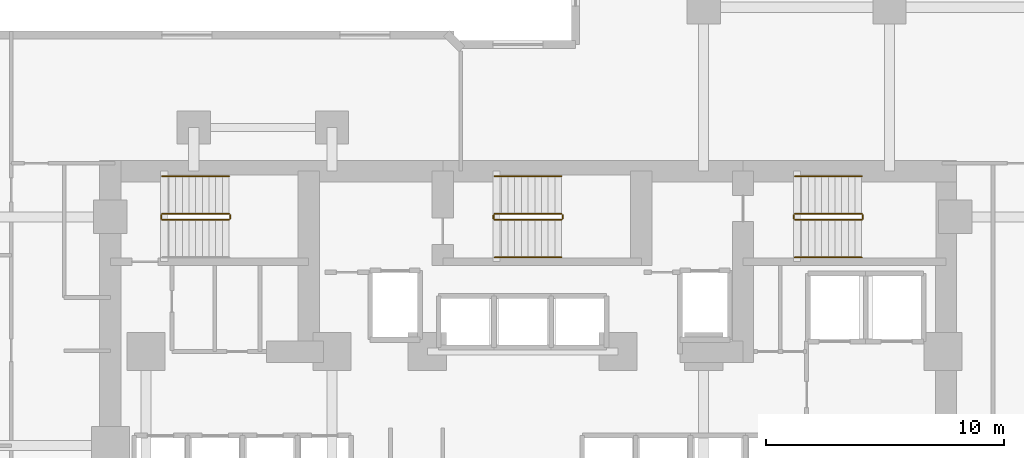
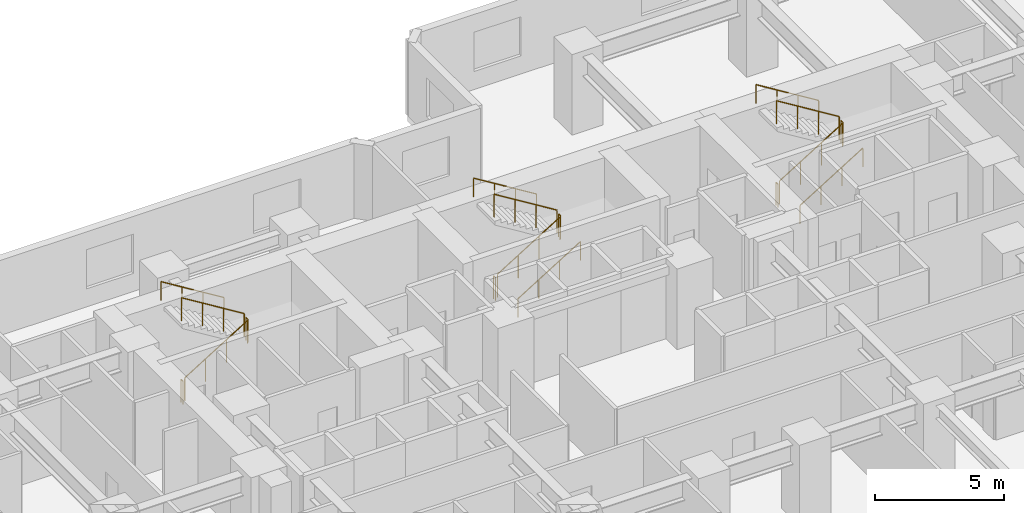
# One storey, part 12 of 12: 17 railings.
"""IFC4 building model written with IfcOpenShell, lengths in metres."""

from ifc_helpers import new_model, si_unit, direction, frame, origin, origin_2d, place, context, subcontext, project, spatial, circle, extrude, material, type_object, element, save


model = new_model("IFC4")

# Units and contexts
model_context = context("Model", 3, precision=1e-05, world=origin(), true_north=direction((0.0, 1.0)))
body_context = subcontext(model_context, "Body", "Model", "MODEL_VIEW")
ifc_project = project(units=[si_unit("LENGTHUNIT", "METRE"), si_unit("AREAUNIT", "SQUARE_METRE"), si_unit("VOLUMEUNIT", "CUBIC_METRE"), si_unit("PLANEANGLEUNIT", "RADIAN"), si_unit("MASSUNIT", "GRAM", prefix="KILO")], contexts=[model_context])

# Site, building, storey
site_placement = place(None, origin())
site = spatial("IfcSite", under=ifc_project, at=site_placement, CompositionType="ELEMENT")
building_placement = place(site_placement, origin())
building = spatial("IfcBuilding", under=site, at=building_placement, Name="Kestravale Grand Hotel", CompositionType="ELEMENT")
storey_placement = place(building_placement, frame((0.0, 0.0, 56.39990234375)))
storey = spatial("IfcBuildingStorey", under=building, at=storey_placement, Name="L13", CompositionType="ELEMENT", Elevation=56.39990234375)

# Railings
ifc_material_1 = material(Name="Painted tubular steel stair well guard", Category="steel")
railing_type_1 = type_object("IfcRailingType", Name="RL-ST-GRD1100", PredefinedType="GUARDRAIL", material=ifc_material_1)
railing_1_placement = place(storey_placement, frame((24.080078125, 38.280029296875, 0.1728515625)))
element("IfcRailing", 1, at=railing_1_placement, inside=storey, type_object=railing_type_1, Name="L13 ST-1 stair guard 1", PredefinedType="GUARDRAIL", context=body_context, shape_type="SweptSolid", body=[
    extrude(circle(Radius=0.02392578125, at=origin_2d()), frame((0.0, 0.0, 1.076171875), z_axis=(0.851069175582, 0.0, 0.525053576669), x_axis=(0.0, 1.0, 0.0)), (0.0, 0.0, 1.0), 3.289794921875),
    extrude(circle(Radius=0.02099609375, at=origin_2d()), origin(), (0.0, 0.0, 1.0), 1.052001953125),
    extrude(circle(Radius=0.02099609375, at=origin_2d()), frame((0.933349609375, 0.0, 0.57568359375)), (0.0, 0.0, 1.0), 1.052001953125),
    extrude(circle(Radius=0.02099609375, at=origin_2d()), frame((1.866455078125, 0.0, 1.151611328125)), (0.0, 0.0, 1.0), 1.052001953125),
    extrude(circle(Radius=0.02099609375, at=origin_2d()), frame((2.7998046875, 0.0, 1.727294921875)), (0.0, 0.0, 1.0), 1.052001953125),
])
railing_2_placement = place(storey_placement, frame((26.929931640625, 38.330078125, 1.900146484375)))
element("IfcRailing", 2, at=railing_2_placement, inside=storey, type_object=railing_type_1, Name="L13 ST-1 stair guard 2", PredefinedType="GUARDRAIL", context=body_context, shape_type="SweptSolid", body=[
    extrude(circle(Radius=0.02392578125, at=origin_2d()), frame((0.0, 0.0, 1.076171875), z_axis=(0.0, 1.0, 0.0), x_axis=(-1.0, 0.0, 0.0)), (0.0, 0.0, 1.0), 0.14990234375),
    extrude(circle(Radius=0.02099609375, at=origin_2d()), origin(), (0.0, 0.0, 1.0), 1.052001953125),
    extrude(circle(Radius=0.02099609375, at=origin_2d()), frame((0.0, 0.14990234375, 0.0)), (0.0, 0.0, 1.0), 1.052001953125),
])
railing_3_placement = place(storey_placement, frame((26.8798828125, 38.530029296875, 2.07275390625)))
element("IfcRailing", 3, at=railing_3_placement, inside=storey, type_object=railing_type_1, Name="L13 ST-1 stair guard 3", PredefinedType="GUARDRAIL", context=body_context, shape_type="SweptSolid", body=[
    extrude(circle(Radius=0.02392578125, at=origin_2d()), frame((0.0, 0.0, 1.076171875), z_axis=(-0.851069175582, 0.0, 0.525053576669), x_axis=(0.0, -1.0, 0.0)), (0.0, 0.0, 1.0), 3.289794921875),
    extrude(circle(Radius=0.02099609375, at=origin_2d()), origin(), (0.0, 0.0, 1.0), 1.052001953125),
    extrude(circle(Radius=0.02099609375, at=origin_2d()), frame((-0.933349609375, 0.0, 0.57568359375)), (0.0, 0.0, 1.0), 1.052001953125),
    extrude(circle(Radius=0.02099609375, at=origin_2d()), frame((-1.866455078125, 0.0, 1.151611328125)), (0.0, 0.0, 1.0), 1.052001953125),
    extrude(circle(Radius=0.02099609375, at=origin_2d()), frame((-2.7998046875, 0.0, 1.727294921875)), (0.0, 0.0, 1.0), 1.052001953125),
])
railing_4_placement = place(storey_placement, frame((24.030029296875, 38.330078125, 0.0)))
element("IfcRailing", 4, at=railing_4_placement, inside=storey, type_object=railing_type_1, Name="L13 ST-1 stair guard 4", PredefinedType="GUARDRAIL", context=body_context, shape_type="SweptSolid", body=[
    extrude(circle(Radius=0.02392578125, at=origin_2d()), frame((0.0, 0.0, 1.076171875), z_axis=(0.0, 1.0, 0.0), x_axis=(-1.0, 0.0, 0.0)), (0.0, 0.0, 1.0), 0.14990234375),
    extrude(circle(Radius=0.02099609375, at=origin_2d()), origin(), (0.0, 0.0, 1.0), 1.052001953125),
    extrude(circle(Radius=0.02099609375, at=origin_2d()), frame((0.0, 0.14990234375, 0.0)), (0.0, 0.0, 1.0), 1.052001953125),
])
railing_5_placement = place(storey_placement, frame((38.030029296875, 38.280029296875, 0.1728515625)))
element("IfcRailing", 5, at=railing_5_placement, inside=storey, type_object=railing_type_1, Name="L13 ST-2 stair guard 1", PredefinedType="GUARDRAIL", context=body_context, shape_type="SweptSolid", body=[
    extrude(circle(Radius=0.02392578125, at=origin_2d()), frame((0.0, 0.0, 1.076171875), z_axis=(0.851089632645, 0.0, 0.525020415988), x_axis=(0.0, 1.0, 0.0)), (0.0, 0.0, 1.0), 3.2900390625),
    extrude(circle(Radius=0.02099609375, at=origin_2d()), origin(), (0.0, 0.0, 1.0), 1.052001953125),
    extrude(circle(Radius=0.02099609375, at=origin_2d()), frame((0.933349609375, 0.0, 0.57568359375)), (0.0, 0.0, 1.0), 1.052001953125),
    extrude(circle(Radius=0.02099609375, at=origin_2d()), frame((1.86669921875, 0.0, 1.151611328125)), (0.0, 0.0, 1.0), 1.052001953125),
    extrude(circle(Radius=0.02099609375, at=origin_2d()), frame((2.800048828125, 0.0, 1.727294921875)), (0.0, 0.0, 1.0), 1.052001953125),
])
railing_6_placement = place(storey_placement, frame((40.8798828125, 38.330078125, 1.900146484375)))
element("IfcRailing", 6, at=railing_6_placement, inside=storey, type_object=railing_type_1, Name="L13 ST-2 stair guard 2", PredefinedType="GUARDRAIL", context=body_context, shape_type="SweptSolid", body=[
    extrude(circle(Radius=0.02392578125, at=origin_2d()), frame((0.0, 0.0, 1.076171875), z_axis=(0.0, 1.0, 0.0), x_axis=(-1.0, 0.0, 0.0)), (0.0, 0.0, 1.0), 0.14990234375),
    extrude(circle(Radius=0.02099609375, at=origin_2d()), origin(), (0.0, 0.0, 1.0), 1.052001953125),
    extrude(circle(Radius=0.02099609375, at=origin_2d()), frame((0.0, 0.14990234375, 0.0)), (0.0, 0.0, 1.0), 1.052001953125),
])
railing_7_placement = place(storey_placement, frame((40.830078125, 38.530029296875, 2.07275390625)))
element("IfcRailing", 7, at=railing_7_placement, inside=storey, type_object=railing_type_1, Name="L13 ST-2 stair guard 3", PredefinedType="GUARDRAIL", context=body_context, shape_type="SweptSolid", body=[
    extrude(circle(Radius=0.02392578125, at=origin_2d()), frame((0.0, 0.0, 1.076171875), z_axis=(-0.851089632645, 0.0, 0.525020415988), x_axis=(0.0, -1.0, 0.0)), (0.0, 0.0, 1.0), 3.2900390625),
    extrude(circle(Radius=0.02099609375, at=origin_2d()), origin(), (0.0, 0.0, 1.0), 1.052001953125),
    extrude(circle(Radius=0.02099609375, at=origin_2d()), frame((-0.933349609375, 0.0, 0.57568359375)), (0.0, 0.0, 1.0), 1.052001953125),
    extrude(circle(Radius=0.02099609375, at=origin_2d()), frame((-1.86669921875, 0.0, 1.151611328125)), (0.0, 0.0, 1.0), 1.052001953125),
    extrude(circle(Radius=0.02099609375, at=origin_2d()), frame((-2.800048828125, 0.0, 1.727294921875)), (0.0, 0.0, 1.0), 1.052001953125),
])
railing_8_placement = place(storey_placement, frame((37.97998046875, 38.330078125, 0.0)))
element("IfcRailing", 8, at=railing_8_placement, inside=storey, type_object=railing_type_1, Name="L13 ST-2 stair guard 4", PredefinedType="GUARDRAIL", context=body_context, shape_type="SweptSolid", body=[
    extrude(circle(Radius=0.02392578125, at=origin_2d()), frame((0.0, 0.0, 1.076171875), z_axis=(0.0, 1.0, 0.0), x_axis=(-1.0, 0.0, 0.0)), (0.0, 0.0, 1.0), 0.14990234375),
    extrude(circle(Radius=0.02099609375, at=origin_2d()), origin(), (0.0, 0.0, 1.0), 1.052001953125),
    extrude(circle(Radius=0.02099609375, at=origin_2d()), frame((0.0, 0.14990234375, 0.0)), (0.0, 0.0, 1.0), 1.052001953125),
])
railing_9_placement = place(storey_placement, frame((50.6298828125, 38.280029296875, 0.1728515625)))
element("IfcRailing", 9, at=railing_9_placement, inside=storey, type_object=railing_type_1, Name="L13 ST-3 stair guard 1", PredefinedType="GUARDRAIL", context=body_context, shape_type="SweptSolid", body=[
    extrude(circle(Radius=0.02392578125, at=origin_2d()), frame((0.0, 0.0, 1.076171875), z_axis=(0.851089632645, 0.0, 0.525020415988), x_axis=(0.0, 1.0, 0.0)), (0.0, 0.0, 1.0), 3.2900390625),
    extrude(circle(Radius=0.02099609375, at=origin_2d()), origin(), (0.0, 0.0, 1.0), 1.052001953125),
    extrude(circle(Radius=0.02099609375, at=origin_2d()), frame((0.933349609375, 0.0, 0.57568359375)), (0.0, 0.0, 1.0), 1.052001953125),
    extrude(circle(Radius=0.02099609375, at=origin_2d()), frame((1.86669921875, 0.0, 1.151611328125)), (0.0, 0.0, 1.0), 1.052001953125),
    extrude(circle(Radius=0.02099609375, at=origin_2d()), frame((2.800048828125, 0.0, 1.727294921875)), (0.0, 0.0, 1.0), 1.052001953125),
])
railing_10_placement = place(storey_placement, frame((53.47998046875, 38.330078125, 1.900146484375)))
element("IfcRailing", 10, at=railing_10_placement, inside=storey, type_object=railing_type_1, Name="L13 ST-3 stair guard 2", PredefinedType="GUARDRAIL", context=body_context, shape_type="SweptSolid", body=[
    extrude(circle(Radius=0.02392578125, at=origin_2d()), frame((0.0, 0.0, 1.076171875), z_axis=(0.0, 1.0, 0.0), x_axis=(-1.0, 0.0, 0.0)), (0.0, 0.0, 1.0), 0.14990234375),
    extrude(circle(Radius=0.02099609375, at=origin_2d()), origin(), (0.0, 0.0, 1.0), 1.052001953125),
    extrude(circle(Radius=0.02099609375, at=origin_2d()), frame((0.0, 0.14990234375, 0.0)), (0.0, 0.0, 1.0), 1.052001953125),
])
railing_11_placement = place(storey_placement, frame((53.429931640625, 38.530029296875, 2.07275390625)))
element("IfcRailing", 11, at=railing_11_placement, inside=storey, type_object=railing_type_1, Name="L13 ST-3 stair guard 3", PredefinedType="GUARDRAIL", context=body_context, shape_type="SweptSolid", body=[
    extrude(circle(Radius=0.02392578125, at=origin_2d()), frame((0.0, 0.0, 1.076171875), z_axis=(-0.851089632645, 0.0, 0.525020415988), x_axis=(0.0, -1.0, 0.0)), (0.0, 0.0, 1.0), 3.2900390625),
    extrude(circle(Radius=0.02099609375, at=origin_2d()), origin(), (0.0, 0.0, 1.0), 1.052001953125),
    extrude(circle(Radius=0.02099609375, at=origin_2d()), frame((-0.933349609375, 0.0, 0.57568359375)), (0.0, 0.0, 1.0), 1.052001953125),
    extrude(circle(Radius=0.02099609375, at=origin_2d()), frame((-1.86669921875, 0.0, 1.151611328125)), (0.0, 0.0, 1.0), 1.052001953125),
    extrude(circle(Radius=0.02099609375, at=origin_2d()), frame((-2.800048828125, 0.0, 1.727294921875)), (0.0, 0.0, 1.0), 1.052001953125),
])
railing_12_placement = place(storey_placement, frame((50.580078125, 38.330078125, 0.0)))
element("IfcRailing", 12, at=railing_12_placement, inside=storey, type_object=railing_type_1, Name="L13 ST-3 stair guard 4", PredefinedType="GUARDRAIL", context=body_context, shape_type="SweptSolid", body=[
    extrude(circle(Radius=0.02392578125, at=origin_2d()), frame((0.0, 0.0, 1.076171875), z_axis=(0.0, 1.0, 0.0), x_axis=(-1.0, 0.0, 0.0)), (0.0, 0.0, 1.0), 0.14990234375),
    extrude(circle(Radius=0.02099609375, at=origin_2d()), origin(), (0.0, 0.0, 1.0), 1.052001953125),
    extrude(circle(Radius=0.02099609375, at=origin_2d()), frame((0.0, 0.14990234375, 0.0)), (0.0, 0.0, 1.0), 1.052001953125),
])
ifc_material_2 = material(Name="Brushed stainless steel wall handrail", Category="steel")
railing_type_2 = type_object("IfcRailingType", Name="RL-ST-HND900", PredefinedType="HANDRAIL", material=ifc_material_2)
railing_13_placement = place(storey_placement, frame((26.8798828125, 40.110107421875, 2.07275390625)))
element("IfcRailing", 13, at=railing_13_placement, inside=storey, type_object=railing_type_2, Name="L13 ST-1 stair handrail 2", PredefinedType="HANDRAIL", context=body_context, shape_type="SweptSolid", body=[
    extrude(circle(Radius=0.02392578125, at=origin_2d()), frame((0.0, 0.0, 0.8759765625), z_axis=(-0.851069175582, 0.0, 0.525053576669), x_axis=(0.0, -1.0, 0.0)), (0.0, 0.0, 1.0), 3.289794921875),
    extrude(circle(Radius=0.02099609375, at=origin_2d()), origin(), (0.0, 0.0, 1.0), 0.851806640625),
    extrude(circle(Radius=0.02099609375, at=origin_2d()), frame((-0.933349609375, 0.0, 0.57568359375)), (0.0, 0.0, 1.0), 0.851806640625),
    extrude(circle(Radius=0.02099609375, at=origin_2d()), frame((-1.866455078125, 0.0, 1.151611328125)), (0.0, 0.0, 1.0), 0.851806640625),
    extrude(circle(Radius=0.02099609375, at=origin_2d()), frame((-2.7998046875, 0.0, 1.727294921875)), (0.0, 0.0, 1.0), 0.851806640625),
])
railing_14_placement = place(storey_placement, frame((38.030029296875, 36.699951171875, 0.1728515625)))
element("IfcRailing", 14, at=railing_14_placement, inside=storey, type_object=railing_type_2, Name="L13 ST-2 stair handrail 1", PredefinedType="HANDRAIL", context=body_context, shape_type="SweptSolid", body=[
    extrude(circle(Radius=0.02392578125, at=origin_2d()), frame((0.0, 0.0, 0.8759765625), z_axis=(0.851089632645, 0.0, 0.525020415988), x_axis=(0.0, 1.0, 0.0)), (0.0, 0.0, 1.0), 3.2900390625),
    extrude(circle(Radius=0.02099609375, at=origin_2d()), origin(), (0.0, 0.0, 1.0), 0.851806640625),
    extrude(circle(Radius=0.02099609375, at=origin_2d()), frame((0.933349609375, 0.0, 0.57568359375)), (0.0, 0.0, 1.0), 0.851806640625),
    extrude(circle(Radius=0.02099609375, at=origin_2d()), frame((1.86669921875, 0.0, 1.151611328125)), (0.0, 0.0, 1.0), 0.851806640625),
    extrude(circle(Radius=0.02099609375, at=origin_2d()), frame((2.800048828125, 0.0, 1.727294921875)), (0.0, 0.0, 1.0), 0.851806640625),
])
railing_15_placement = place(storey_placement, frame((40.830078125, 40.110107421875, 2.07275390625)))
element("IfcRailing", 15, at=railing_15_placement, inside=storey, type_object=railing_type_2, Name="L13 ST-2 stair handrail 2", PredefinedType="HANDRAIL", context=body_context, shape_type="SweptSolid", body=[
    extrude(circle(Radius=0.02392578125, at=origin_2d()), frame((0.0, 0.0, 0.8759765625), z_axis=(-0.851089632645, 0.0, 0.525020415988), x_axis=(0.0, -1.0, 0.0)), (0.0, 0.0, 1.0), 3.2900390625),
    extrude(circle(Radius=0.02099609375, at=origin_2d()), origin(), (0.0, 0.0, 1.0), 0.851806640625),
    extrude(circle(Radius=0.02099609375, at=origin_2d()), frame((-0.933349609375, 0.0, 0.57568359375)), (0.0, 0.0, 1.0), 0.851806640625),
    extrude(circle(Radius=0.02099609375, at=origin_2d()), frame((-1.86669921875, 0.0, 1.151611328125)), (0.0, 0.0, 1.0), 0.851806640625),
    extrude(circle(Radius=0.02099609375, at=origin_2d()), frame((-2.800048828125, 0.0, 1.727294921875)), (0.0, 0.0, 1.0), 0.851806640625),
])
railing_16_placement = place(storey_placement, frame((50.6298828125, 36.699951171875, 0.1728515625)))
element("IfcRailing", 16, at=railing_16_placement, inside=storey, type_object=railing_type_2, Name="L13 ST-3 stair handrail 1", PredefinedType="HANDRAIL", context=body_context, shape_type="SweptSolid", body=[
    extrude(circle(Radius=0.02392578125, at=origin_2d()), frame((0.0, 0.0, 0.8759765625), z_axis=(0.851089632645, 0.0, 0.525020415988), x_axis=(0.0, 1.0, 0.0)), (0.0, 0.0, 1.0), 3.2900390625),
    extrude(circle(Radius=0.02099609375, at=origin_2d()), origin(), (0.0, 0.0, 1.0), 0.851806640625),
    extrude(circle(Radius=0.02099609375, at=origin_2d()), frame((0.933349609375, 0.0, 0.57568359375)), (0.0, 0.0, 1.0), 0.851806640625),
    extrude(circle(Radius=0.02099609375, at=origin_2d()), frame((1.86669921875, 0.0, 1.151611328125)), (0.0, 0.0, 1.0), 0.851806640625),
    extrude(circle(Radius=0.02099609375, at=origin_2d()), frame((2.800048828125, 0.0, 1.727294921875)), (0.0, 0.0, 1.0), 0.851806640625),
])
railing_17_placement = place(storey_placement, frame((53.429931640625, 40.110107421875, 2.07275390625)))
element("IfcRailing", 17, at=railing_17_placement, inside=storey, type_object=railing_type_2, Name="L13 ST-3 stair handrail 2", PredefinedType="HANDRAIL", context=body_context, shape_type="SweptSolid", body=[
    extrude(circle(Radius=0.02392578125, at=origin_2d()), frame((0.0, 0.0, 0.8759765625), z_axis=(-0.851089632645, 0.0, 0.525020415988), x_axis=(0.0, -1.0, 0.0)), (0.0, 0.0, 1.0), 3.2900390625),
    extrude(circle(Radius=0.02099609375, at=origin_2d()), origin(), (0.0, 0.0, 1.0), 0.851806640625),
    extrude(circle(Radius=0.02099609375, at=origin_2d()), frame((-0.933349609375, 0.0, 0.57568359375)), (0.0, 0.0, 1.0), 0.851806640625),
    extrude(circle(Radius=0.02099609375, at=origin_2d()), frame((-1.86669921875, 0.0, 1.151611328125)), (0.0, 0.0, 1.0), 0.851806640625),
    extrude(circle(Radius=0.02099609375, at=origin_2d()), frame((-2.800048828125, 0.0, 1.727294921875)), (0.0, 0.0, 1.0), 0.851806640625),
])

save(model, "model.ifc")
